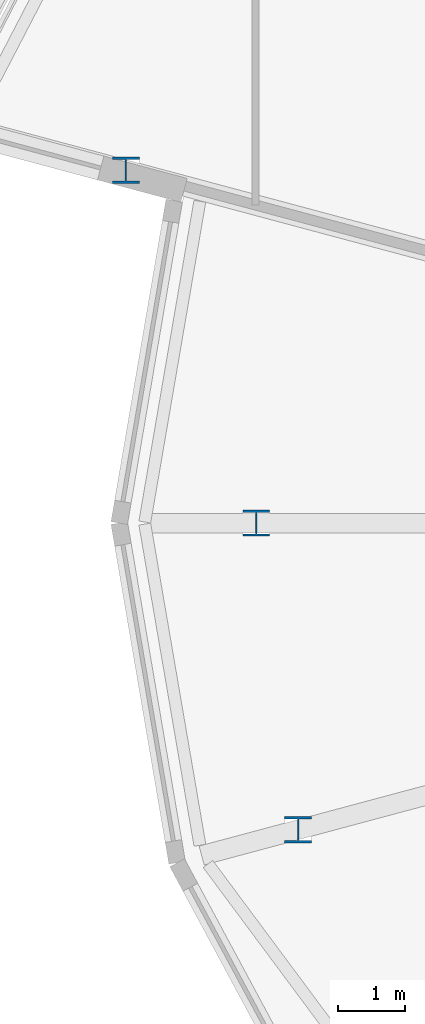
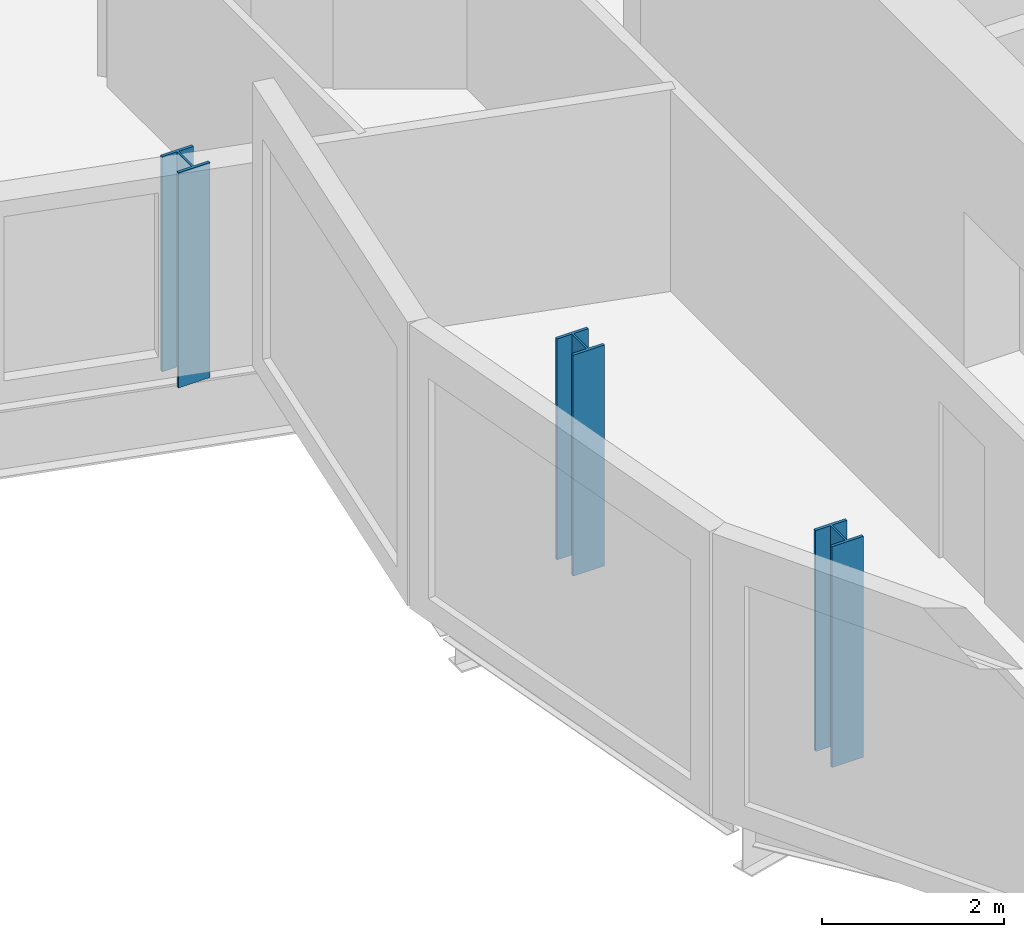
# One storey, part 1 of 39: 3 columns.
"""IFC4 building model written with IfcOpenShell, lengths in metres."""

from ifc_helpers import new_model, si_unit, direction, frame, origin, origin_2d, place, context, subcontext, project, spatial, i_section, extrude, material, material_profile, profile_set, type_object, element, save


model = new_model("IFC4")

# Units and contexts
model_context = context("Model", 3, precision=1e-05, world=origin(), true_north=direction((0.0, 1.0)))
body_context = subcontext(model_context, "Body", "Model", "MODEL_VIEW")
ifc_project = project(units=[si_unit("LENGTHUNIT", "METRE"), si_unit("AREAUNIT", "SQUARE_METRE"), si_unit("VOLUMEUNIT", "CUBIC_METRE"), si_unit("PLANEANGLEUNIT", "RADIAN"), si_unit("MASSUNIT", "GRAM", prefix="KILO")], contexts=[model_context])

# Site, building, storey
site_placement = place(None, origin())
site = spatial("IfcSite", under=ifc_project, at=site_placement, CompositionType="ELEMENT")
building_placement = place(site_placement, origin())
building = spatial("IfcBuilding", under=site, at=building_placement, Name="Rimbun Link Towers", CompositionType="ELEMENT")
storey_placement = place(building_placement, frame((0.0, 0.0, 112.0)))
storey = spatial("IfcBuildingStorey", under=building, at=storey_placement, Name="L27", CompositionType="ELEMENT", Elevation=112.0)

# Columns
ifc_material = material(Name="Steel S355J2", Category="steel")
ifc_material_profile = material_profile(ifc_material, i_section(OverallWidth=0.39892578125, OverallDepth=0.3935546875, WebThickness=0.022705078125, FlangeThickness=0.03662109375, at=origin_2d()), Name="UC 356x406x287")
ifc_profile_set = profile_set([ifc_material_profile], Name="Steel S355J2")
column_type = type_object("IfcColumnType", Name="UC 356x406x287", PredefinedType="COLUMN", material=ifc_profile_set)
column_placement = place(storey_placement, frame((-51.45849609375, 5.281005859375, -0.159912109375), z_axis=(0.0, 0.0, 1.0), x_axis=(1.0, 0.0, 0.0)))
element("IfcColumn", 1, at=column_placement, inside=storey, type_object=column_type, Name="Crease post T1 L27 11", PredefinedType="COLUMN", context=body_context, shape_type="SweptSolid", body=[
    extrude(i_section(OverallWidth=0.39892578125, OverallDepth=0.3935546875, WebThickness=0.022705078125, FlangeThickness=0.03662109375, at=origin_2d()), origin(), (0.0, 0.0, 1.0), 2.881591796875),
])
for number, where, z_axis, x_axis, name in (
    (2, (-49.508056640625, 0.0, -0.159912109375), (0.0, 0.0, 1.0), (1.0, 0.0, 0.0), "Crease post T1 L27 12"),
    (3, (-48.882080078125, -4.590576171875, -0.159912109375), (0.0, 0.0, 1.0), (1.0, 0.0, 0.0), "Crease post T1 L27 13"),
):
    element("IfcColumn", number, at=place(storey_placement, frame(where, z_axis=z_axis, x_axis=x_axis)), inside=storey, type_object=column_type, Name=name, PredefinedType="COLUMN", context=body_context, shape_type="SweptSolid", body=[
        extrude(i_section(OverallWidth=0.39892578125, OverallDepth=0.3935546875, WebThickness=0.022705078125, FlangeThickness=0.03662109375, at=origin_2d()), origin(), (0.0, 0.0, 1.0), 2.959228515625),
    ])

save(model, "model.ifc")
